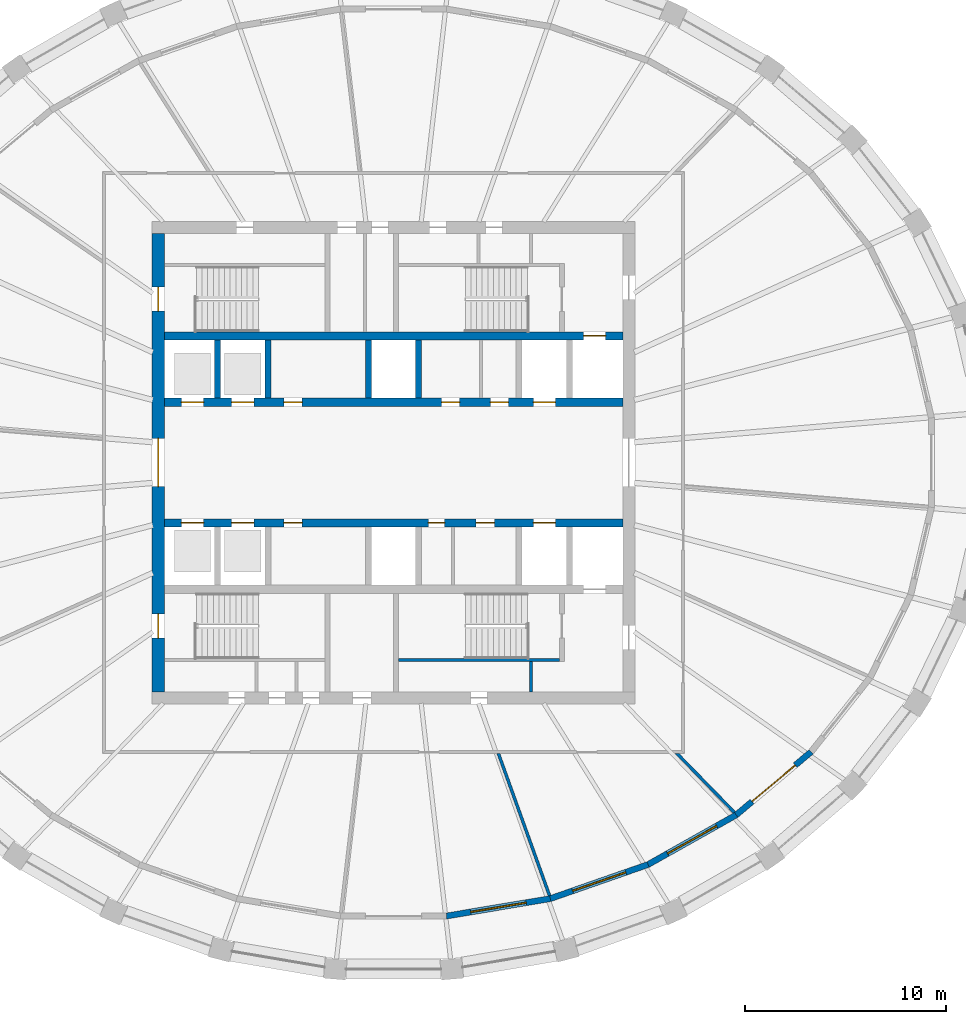
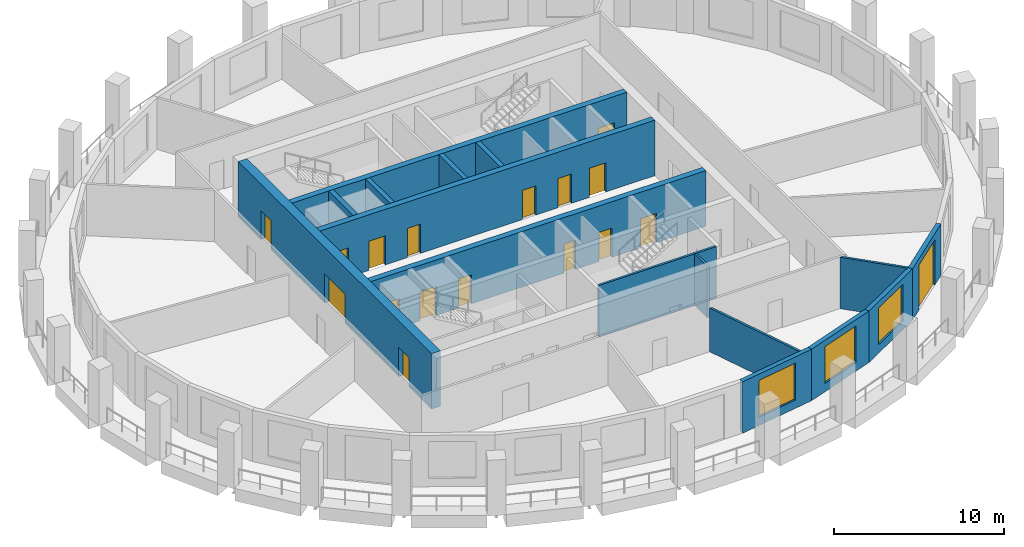
# One storey, part 4 of 10: 17 doors, 16 walls, 3 windows, 20 openings.
"""IFC4 building model written with IfcOpenShell, lengths in metres."""

from ifc_helpers import new_model, si_unit, direction, frame, frame_2d, origin, place, context, subcontext, project, spatial, polyline, rectangle, outline, extrude, material, layer, layer_set, type_object, element, fill, save


model = new_model("IFC4")

# Units and contexts
model_context = context("Model", 3, precision=1e-05, world=origin(), true_north=direction((0.0, 1.0)))
body_context = subcontext(model_context, "Body", "Model", "MODEL_VIEW")
ifc_project = project(units=[si_unit("LENGTHUNIT", "METRE"), si_unit("AREAUNIT", "SQUARE_METRE"), si_unit("VOLUMEUNIT", "CUBIC_METRE"), si_unit("PLANEANGLEUNIT", "RADIAN"), si_unit("MASSUNIT", "GRAM", prefix="KILO")], contexts=[model_context])

# Site, building, storey
site_placement = place(None, origin())
site = spatial("IfcSite", under=ifc_project, at=site_placement, CompositionType="ELEMENT")
building_placement = place(site_placement, origin())
building = spatial("IfcBuilding", under=site, at=building_placement, Name="Halqa Exchange Tower", CompositionType="ELEMENT")
storey_placement = place(building_placement, frame((0.0, 0.0, 280.300048828125)))
storey = spatial("IfcBuildingStorey", under=building, at=storey_placement, Name="L65", CompositionType="ELEMENT", Elevation=280.300048828125)

# Walls
ifc_material_1 = material(Name="Fire-rated gypsum board")
ifc_layer_1 = layer(ifc_material_1, 0.14990234375)
ifc_layer_set_1 = layer_set([ifc_layer_1], Name="Fire-rated gypsum board")
wall_type_1 = type_object("IfcWallType", Name="Fire partition EI 60 150", PredefinedType="PARTITIONING", material=ifc_layer_set_1)
wall_1_placement = place(storey_placement, frame((5.2080078125, -14.449951171875, 0.0), z_axis=(0.0, 0.0, 1.0), x_axis=(0.338585214783, -0.940935732306, 0.0)))
element("IfcWall", 1, at=wall_1_placement, inside=storey, type_object=wall_type_1, Name="L65-PWL-010", PredefinedType="PARTITIONING", context=body_context, shape_type="SweptSolid", body=[
    extrude(outline(polyline([(0.0, -0.074951171875), (1.880126953125, -0.074951171875), (3.76025390625, -0.074951171875), (5.640380859375, -0.074951171875), (7.5205078125, -0.074951171875), (7.533935546875, -0.000732421875), (7.534423828125, 0.054931640625), (7.534423828125, 0.074951171875), (5.664306640625, 0.074951171875), (3.7939453125, 0.074951171875), (1.923828125, 0.074951171875), (0.0537109375, 0.074951171875), (0.0, -0.073974609375), (0.0, -0.074951171875)])), origin(), (0.0, 0.0, 1.0), 3.14990234375),
])
wall_2_placement = place(storey_placement, frame((16.958251953125, -17.40283203125, 0.0), z_axis=(0.0, 0.0, 1.0), x_axis=(-0.698164782934, 0.715937103293, 0.0)))
element("IfcWall", 2, at=wall_2_placement, inside=storey, type_object=wall_type_1, Name="L65-PWL-015", PredefinedType="PARTITIONING", context=body_context, shape_type="SweptSolid", body=[
    extrude(outline(polyline([(0.0, -0.074951171875), (1.3388671875, -0.074951171875), (2.677734375, -0.074951171875), (4.016357421875, -0.074951171875), (4.0693359375, -0.020751953125), (4.0693359375, -0.020751953125), (4.162353515625, 0.07470703125), (4.162353515625, 0.074951171875), (2.783203125, 0.074951171875), (1.404052734375, 0.074951171875), (0.02490234375, 0.074951171875), (0.0048828125, -0.000244140625), (0.0, -0.0673828125), (0.0, -0.074951171875)])), origin(), (0.0, 0.0, 1.0), 3.699951171875),
])
ifc_material_2 = material(Name="Gypsum board")
ifc_layer_2 = layer(ifc_material_2, 0.14990234375)
ifc_layer_set_2 = layer_set([ifc_layer_2], Name="Gypsum board")
wall_type_2 = type_object("IfcWallType", Name="Penthouse riser wall 150 gypsum", PredefinedType="PARTITIONING", material=ifc_layer_set_2)
wall_3_placement = place(storey_placement, frame((6.824951171875, -11.39990234375, 0.0), z_axis=(0.0, 0.0, 1.0), x_axis=(0.0, 1.0, 0.0)))
element("IfcWall", 3, at=wall_3_placement, inside=storey, type_object=wall_type_2, Name="Firefighting lobby west wall S", PredefinedType="PARTITIONING", context=body_context, shape_type="SweptSolid", body=[
    extrude(rectangle(XDim=1.5, YDim=0.14990234375, at=frame_2d((0.75, 0.0))), origin(), (0.0, 0.0, 1.0), 3.699951171875),
])
ifc_material_3 = material(Name="Concrete C60/75", Category="concrete")
ifc_layer_3 = layer(ifc_material_3, 0.300048828125)
ifc_layer_set_3 = layer_set([ifc_layer_3], Name="Concrete C60/75")
wall_type_3 = type_object("IfcWallType", Name="RC core wall 300", PredefinedType="SHEAR", material=ifc_layer_set_3)
for number, where, z_axis, x_axis, name in (
    (4, (-8.75, 3.199951171875, 0.0), (0.0, 0.0, 1.0), (0.0, 1.0, 0.0), "Shaft divider N1"),
    (5, (-6.25, 3.199951171875, 0.0), (0.0, 0.0, 1.0), (0.0, 1.0, 0.0), "Shaft divider N2"),
    (6, (-1.25, 3.199951171875, 0.0), (0.0, 0.0, 1.0), (0.0, 1.0, 0.0), "Shaft divider N4"),
    (7, (1.25, 3.199951171875, 0.0), (0.0, 0.0, 1.0), (0.0, 1.0, 0.0), "Shaft divider N5"),
):
    element("IfcWall", number, at=place(storey_placement, frame(where, z_axis=z_axis, x_axis=x_axis)), inside=storey, type_object=wall_type_3, Name=name, PredefinedType="SHEAR", context=body_context, shape_type="SweptSolid", body=[
        extrude(rectangle(XDim=2.900146484375, YDim=0.300048828125, at=frame_2d((1.4501953125, 0.0))), origin(), (0.0, 0.0, 1.0), 4.0),
    ])

# Wall, openings, doors
ifc_layer_4 = layer(ifc_material_3, 0.39990234375)
ifc_layer_set_4 = layer_set([ifc_layer_4], Name="Concrete C60/75")
wall_type_4 = type_object("IfcWallType", Name="RC core wall 400 C60/75", PredefinedType="SHEAR", material=ifc_layer_set_4)
wall_4_placement = place(storey_placement, frame((-11.39990234375, 3.0, 0.0), z_axis=(0.0, 0.0, 1.0), x_axis=(1.0, 0.0, 0.0)))
wall_4 = element("IfcWall", 8, at=wall_4_placement, inside=storey, type_object=wall_type_4, Name="Lift row front wall N", PredefinedType="SHEAR", context=body_context, shape_type="SweptSolid", body=[
    extrude(rectangle(XDim=22.7998046875, YDim=0.39990234375, at=frame_2d((11.39990234375, 0.0))), origin(), (0.0, 0.0, 1.0), 4.0),
])
opening_1_placement = place(wall_4_placement, frame((0.85009765625, 0.0, 0.0)))
opening_1 = element("IfcOpeningElement", 9, at=opening_1_placement, cuts=wall_4, Name="Opening LD-HR1-T20", PredefinedType="OPENING", context=body_context, shape_type="SweptSolid", body=[
    extrude(rectangle(XDim=1.10009765625, YDim=2.10009765625, at=frame_2d((0.550048828125, 1.050048828125))), frame((0.0, 0.2119140625, 0.0), z_axis=(0.0, -1.0, 0.0), x_axis=(1.0, 0.0, 0.0)), (0.0, 0.0, 1.0), 0.423828125),
])
opening_2_placement = place(wall_4_placement, frame((3.35009765625, 0.0, 0.0)))
opening_2 = element("IfcOpeningElement", 10, at=opening_2_placement, cuts=wall_4, Name="Opening LD-HR2-T20", PredefinedType="OPENING", context=body_context, shape_type="SweptSolid", body=[
    extrude(rectangle(XDim=1.10009765625, YDim=2.10009765625, at=frame_2d((0.550048828125, 1.050048828125))), frame((0.0, 0.2119140625, 0.0), z_axis=(0.0, -1.0, 0.0), x_axis=(1.0, 0.0, 0.0)), (0.0, 0.0, 1.0), 0.423828125),
])
opening_3_placement = place(wall_4_placement, frame((18.35009765625, 0.0, 0.0)))
opening_3 = element("IfcOpeningElement", 11, at=opening_3_placement, cuts=wall_4, Name="Opening LD-SV1-T20", PredefinedType="OPENING", context=body_context, shape_type="SweptSolid", body=[
    extrude(rectangle(XDim=1.10009765625, YDim=2.10009765625, at=frame_2d((0.550048828125, 1.050048828125))), frame((0.0, 0.2119140625, 0.0), z_axis=(0.0, -1.0, 0.0), x_axis=(1.0, 0.0, 0.0)), (0.0, 0.0, 1.0), 0.423828125),
])
opening_4_placement = place(wall_4_placement, frame((13.78759765625, 0.0, 0.0)))
opening_4 = element("IfcOpeningElement", 12, at=opening_4_placement, cuts=wall_4, Name="Opening T20-C27", PredefinedType="OPENING", context=body_context, shape_type="SweptSolid", body=[
    extrude(rectangle(XDim=0.89990234375, YDim=2.10009765625, at=frame_2d((0.449951171875, 1.050048828125))), frame((0.0, 0.2119140625, 0.0), z_axis=(0.0, -1.0, 0.0), x_axis=(1.0, 0.0, 0.0)), (0.0, 0.0, 1.0), 0.423828125),
])
opening_5_placement = place(wall_4_placement, frame((16.21240234375, 0.0, 0.0)))
opening_5 = element("IfcOpeningElement", 13, at=opening_5_placement, cuts=wall_4, Name="Opening T20-C28", PredefinedType="OPENING", context=body_context, shape_type="SweptSolid", body=[
    extrude(rectangle(XDim=0.89990234375, YDim=2.10009765625, at=frame_2d((0.449951171875, 1.050048828125))), frame((0.0, 0.2119140625, 0.0), z_axis=(0.0, -1.0, 0.0), x_axis=(1.0, 0.0, 0.0)), (0.0, 0.0, 1.0), 0.423828125),
])
opening_6_placement = place(wall_4_placement, frame((5.949951171875, 0.0, 0.0)))
opening_6 = element("IfcOpeningElement", 14, at=opening_6_placement, cuts=wall_4, Name="Opening T20-C29", PredefinedType="OPENING", context=body_context, shape_type="SweptSolid", body=[
    extrude(rectangle(XDim=0.89990234375, YDim=2.10009765625, at=frame_2d((0.449951171875, 1.050048828125))), frame((0.0, 0.2119140625, 0.0), z_axis=(0.0, -1.0, 0.0), x_axis=(1.0, 0.0, 0.0)), (0.0, 0.0, 1.0), 0.423828125),
])
ifc_material_4 = material(Name="Timber fire door leaf", Category="wood")
door_type_1 = type_object("IfcDoorType", Name="Core room door FD30 900 x 2100", OperationType="SINGLE_SWING_LEFT", PredefinedType="DOOR", material=ifc_material_4)
door_1_placement = place(opening_4_placement, origin())
door_1 = element("IfcDoor", 15, at=door_1_placement, inside=storey, type_object=door_type_1, Name="Core room door", OperationType="SINGLE_SWING_RIGHT", OverallHeight=2.10009765625, OverallWidth=0.89990234375, PredefinedType="DOOR", context=body_context, shape_type="SweptSolid", body=[
    extrude(rectangle(XDim=0.89990234375, YDim=2.10009765625, at=frame_2d((0.449951171875, 1.050048828125))), frame((0.0, 0.02490234375, 0.0), z_axis=(0.0, -1.0, 0.0), x_axis=(1.0, 0.0, 0.0)), (0.0, 0.0, 1.0), 0.050048828125),
])
fill(opening_4, door_1)
door_2_placement = place(opening_5_placement, origin())
door_2 = element("IfcDoor", 16, at=door_2_placement, inside=storey, type_object=door_type_1, Name="Core room door", OperationType="SINGLE_SWING_LEFT", OverallHeight=2.10009765625, OverallWidth=0.89990234375, PredefinedType="DOOR", context=body_context, shape_type="SweptSolid", body=[
    extrude(rectangle(XDim=0.89990234375, YDim=2.10009765625, at=frame_2d((0.449951171875, 1.050048828125))), frame((0.0, 0.02490234375, 0.0), z_axis=(0.0, -1.0, 0.0), x_axis=(1.0, 0.0, 0.0)), (0.0, 0.0, 1.0), 0.050048828125),
])
fill(opening_5, door_2)
door_3_placement = place(opening_6_placement, origin())
door_3 = element("IfcDoor", 17, at=door_3_placement, inside=storey, type_object=door_type_1, Name="Core room door", OperationType="SINGLE_SWING_RIGHT", OverallHeight=2.10009765625, OverallWidth=0.89990234375, PredefinedType="DOOR", context=body_context, shape_type="SweptSolid", body=[
    extrude(rectangle(XDim=0.89990234375, YDim=2.10009765625, at=frame_2d((0.449951171875, 1.050048828125))), frame((0.0, 0.02490234375, 0.0), z_axis=(0.0, -1.0, 0.0), x_axis=(1.0, 0.0, 0.0)), (0.0, 0.0, 1.0), 0.050048828125),
])
fill(opening_6, door_3)
ifc_material_5 = material(Name="Stainless steel", Category="steel")
door_type_2 = type_object("IfcDoorType", Name="Lift landing door 1100 x 2100", OperationType="SLIDING_TO_LEFT", PredefinedType="DOOR", material=ifc_material_5)
door_4_placement = place(opening_1_placement, origin())
door_4 = element("IfcDoor", 18, at=door_4_placement, inside=storey, type_object=door_type_2, Name="Lift landing door HR1", OperationType="SLIDING_TO_LEFT", OverallHeight=2.10009765625, OverallWidth=1.10009765625, PredefinedType="DOOR", context=body_context, shape_type="SweptSolid", body=[
    extrude(rectangle(XDim=1.10009765625, YDim=2.10009765625, at=frame_2d((0.550048828125, 1.050048828125))), frame((0.0, 0.02490234375, 0.0), z_axis=(0.0, -1.0, 0.0), x_axis=(1.0, 0.0, 0.0)), (0.0, 0.0, 1.0), 0.050048828125),
])
fill(opening_1, door_4)
door_5_placement = place(opening_2_placement, origin())
door_5 = element("IfcDoor", 19, at=door_5_placement, inside=storey, type_object=door_type_2, Name="Lift landing door HR2", OperationType="SLIDING_TO_LEFT", OverallHeight=2.10009765625, OverallWidth=1.10009765625, PredefinedType="DOOR", context=body_context, shape_type="SweptSolid", body=[
    extrude(rectangle(XDim=1.10009765625, YDim=2.10009765625, at=frame_2d((0.550048828125, 1.050048828125))), frame((0.0, 0.02490234375, 0.0), z_axis=(0.0, -1.0, 0.0), x_axis=(1.0, 0.0, 0.0)), (0.0, 0.0, 1.0), 0.050048828125),
])
fill(opening_2, door_5)
door_6_placement = place(opening_3_placement, origin())
door_6 = element("IfcDoor", 20, at=door_6_placement, inside=storey, type_object=door_type_2, Name="Lift landing door SV1", OperationType="SLIDING_TO_LEFT", OverallHeight=2.10009765625, OverallWidth=1.10009765625, PredefinedType="DOOR", context=body_context, shape_type="SweptSolid", body=[
    extrude(rectangle(XDim=1.10009765625, YDim=2.10009765625, at=frame_2d((0.550048828125, 1.050048828125))), frame((0.0, 0.02490234375, 0.0), z_axis=(0.0, -1.0, 0.0), x_axis=(1.0, 0.0, 0.0)), (0.0, 0.0, 1.0), 0.050048828125),
])
fill(opening_3, door_6)

# Wall, opening, door
wall_5_placement = place(storey_placement, frame((-11.39990234375, 6.300048828125, 0.0), z_axis=(0.0, 0.0, 1.0), x_axis=(1.0, 0.0, 0.0)))
wall_5 = element("IfcWall", 21, at=wall_5_placement, inside=storey, type_object=wall_type_4, Name="Lift row back wall N", PredefinedType="SHEAR", context=body_context, shape_type="SweptSolid", body=[
    extrude(rectangle(XDim=22.7998046875, YDim=0.39990234375, at=frame_2d((11.39990234375, 0.0))), origin(), (0.0, 0.0, 1.0), 4.0),
])
opening_7_placement = place(wall_5_placement, frame((20.85009765625, 0.0, 0.0)))
opening_7 = element("IfcOpeningElement", 22, at=opening_7_placement, cuts=wall_5, Name="Opening LD-FF1-T20", PredefinedType="OPENING", context=body_context, shape_type="SweptSolid", body=[
    extrude(rectangle(XDim=1.10009765625, YDim=2.10009765625, at=frame_2d((0.550048828125, 1.050048828125))), frame((0.0, 0.2119140625, 0.0), z_axis=(0.0, -1.0, 0.0), x_axis=(1.0, 0.0, 0.0)), (0.0, 0.0, 1.0), 0.423828125),
])
door_7_placement = place(opening_7_placement, origin())
door_7 = element("IfcDoor", 23, at=door_7_placement, inside=storey, type_object=door_type_2, Name="Lift landing door FF1", OperationType="SLIDING_TO_LEFT", OverallHeight=2.10009765625, OverallWidth=1.10009765625, PredefinedType="DOOR", context=body_context, shape_type="SweptSolid", body=[
    extrude(rectangle(XDim=1.10009765625, YDim=2.10009765625, at=frame_2d((0.550048828125, 1.050048828125))), frame((0.0, 0.02490234375, 0.0), z_axis=(0.0, -1.0, 0.0), x_axis=(1.0, 0.0, 0.0)), (0.0, 0.0, 1.0), 0.050048828125),
])
fill(opening_7, door_7)

# Wall, openings, doors
wall_6_placement = place(storey_placement, frame((-11.39990234375, -3.0, 0.0), z_axis=(0.0, 0.0, 1.0), x_axis=(1.0, 0.0, 0.0)))
wall_6 = element("IfcWall", 24, at=wall_6_placement, inside=storey, type_object=wall_type_4, Name="Lift row front wall S", PredefinedType="SHEAR", context=body_context, shape_type="SweptSolid", body=[
    extrude(rectangle(XDim=22.7998046875, YDim=0.39990234375, at=frame_2d((11.39990234375, 0.0))), origin(), (0.0, 0.0, 1.0), 4.0),
])
opening_8_placement = place(wall_6_placement, frame((0.85009765625, 0.0, 0.0)))
opening_8 = element("IfcOpeningElement", 25, at=opening_8_placement, cuts=wall_6, Name="Opening LD-HR3-T20", PredefinedType="OPENING", context=body_context, shape_type="SweptSolid", body=[
    extrude(rectangle(XDim=1.10009765625, YDim=2.10009765625, at=frame_2d((0.550048828125, 1.050048828125))), frame((0.0, 0.2119140625, 0.0), z_axis=(0.0, -1.0, 0.0), x_axis=(1.0, 0.0, 0.0)), (0.0, 0.0, 1.0), 0.423828125),
])
opening_9_placement = place(wall_6_placement, frame((3.35009765625, 0.0, 0.0)))
opening_9 = element("IfcOpeningElement", 26, at=opening_9_placement, cuts=wall_6, Name="Opening LD-HR4-T20", PredefinedType="OPENING", context=body_context, shape_type="SweptSolid", body=[
    extrude(rectangle(XDim=1.10009765625, YDim=2.10009765625, at=frame_2d((0.550048828125, 1.050048828125))), frame((0.0, 0.2119140625, 0.0), z_axis=(0.0, -1.0, 0.0), x_axis=(1.0, 0.0, 0.0)), (0.0, 0.0, 1.0), 0.423828125),
])
opening_10_placement = place(wall_6_placement, frame((18.35009765625, 0.0, 0.0)))
opening_10 = element("IfcOpeningElement", 27, at=opening_10_placement, cuts=wall_6, Name="Opening LD-SV2-T20", PredefinedType="OPENING", context=body_context, shape_type="SweptSolid", body=[
    extrude(rectangle(XDim=1.10009765625, YDim=2.10009765625, at=frame_2d((0.550048828125, 1.050048828125))), frame((0.0, 0.2119140625, 0.0), z_axis=(0.0, -1.0, 0.0), x_axis=(1.0, 0.0, 0.0)), (0.0, 0.0, 1.0), 0.423828125),
])
opening_11_placement = place(wall_6_placement, frame((13.137451171875, 0.0, 0.0)))
opening_11 = element("IfcOpeningElement", 28, at=opening_11_placement, cuts=wall_6, Name="Opening T20-C30", PredefinedType="OPENING", context=body_context, shape_type="SweptSolid", body=[
    extrude(rectangle(XDim=0.800048828125, YDim=2.10009765625, at=frame_2d((0.39990234375, 1.050048828125))), frame((0.0, 0.2119140625, 0.0), z_axis=(0.0, -1.0, 0.0), x_axis=(1.0, 0.0, 0.0)), (0.0, 0.0, 1.0), 0.423828125),
])
opening_12_placement = place(wall_6_placement, frame((15.512451171875, 0.0, 0.0)))
opening_12 = element("IfcOpeningElement", 29, at=opening_12_placement, cuts=wall_6, Name="Opening T20-C31", PredefinedType="OPENING", context=body_context, shape_type="SweptSolid", body=[
    extrude(rectangle(XDim=0.89990234375, YDim=2.10009765625, at=frame_2d((0.449951171875, 1.050048828125))), frame((0.0, 0.2119140625, 0.0), z_axis=(0.0, -1.0, 0.0), x_axis=(1.0, 0.0, 0.0)), (0.0, 0.0, 1.0), 0.423828125),
])
opening_13_placement = place(wall_6_placement, frame((5.949951171875, 0.0, 0.0)))
opening_13 = element("IfcOpeningElement", 30, at=opening_13_placement, cuts=wall_6, Name="Opening T20-C32", PredefinedType="OPENING", context=body_context, shape_type="SweptSolid", body=[
    extrude(rectangle(XDim=0.89990234375, YDim=2.10009765625, at=frame_2d((0.449951171875, 1.050048828125))), frame((0.0, 0.2119140625, 0.0), z_axis=(0.0, -1.0, 0.0), x_axis=(1.0, 0.0, 0.0)), (0.0, 0.0, 1.0), 0.423828125),
])
door_8_placement = place(opening_12_placement, frame((0.89990234375, 0.0, 0.0), z_axis=(0.0, 0.0, 1.0), x_axis=(-1.0, 0.0, 0.0)))
door_8 = element("IfcDoor", 31, at=door_8_placement, inside=storey, type_object=door_type_1, Name="Core room door", OperationType="SINGLE_SWING_LEFT", OverallHeight=2.10009765625, OverallWidth=0.89990234375, PredefinedType="DOOR", context=body_context, shape_type="SweptSolid", body=[
    extrude(rectangle(XDim=0.89990234375, YDim=2.10009765625, at=frame_2d((0.449951171875, 1.050048828125))), frame((0.0, 0.02490234375, 0.0), z_axis=(0.0, -1.0, 0.0), x_axis=(1.0, 0.0, 0.0)), (0.0, 0.0, 1.0), 0.050048828125),
])
fill(opening_12, door_8)
door_9_placement = place(opening_13_placement, frame((0.89990234375, 0.0, 0.0), z_axis=(0.0, 0.0, 1.0), x_axis=(-1.0, 0.0, 0.0)))
door_9 = element("IfcDoor", 32, at=door_9_placement, inside=storey, type_object=door_type_1, Name="Core room door", OperationType="SINGLE_SWING_LEFT", OverallHeight=2.10009765625, OverallWidth=0.89990234375, PredefinedType="DOOR", context=body_context, shape_type="SweptSolid", body=[
    extrude(rectangle(XDim=0.89990234375, YDim=2.10009765625, at=frame_2d((0.449951171875, 1.050048828125))), frame((0.0, 0.02490234375, 0.0), z_axis=(0.0, -1.0, 0.0), x_axis=(1.0, 0.0, 0.0)), (0.0, 0.0, 1.0), 0.050048828125),
])
fill(opening_13, door_9)
door_10_placement = place(opening_8_placement, origin())
door_10 = element("IfcDoor", 33, at=door_10_placement, inside=storey, type_object=door_type_2, Name="Lift landing door HR3", OperationType="SLIDING_TO_LEFT", OverallHeight=2.10009765625, OverallWidth=1.10009765625, PredefinedType="DOOR", context=body_context, shape_type="SweptSolid", body=[
    extrude(rectangle(XDim=1.10009765625, YDim=2.10009765625, at=frame_2d((0.550048828125, 1.050048828125))), frame((0.0, 0.02490234375, 0.0), z_axis=(0.0, -1.0, 0.0), x_axis=(1.0, 0.0, 0.0)), (0.0, 0.0, 1.0), 0.050048828125),
])
fill(opening_8, door_10)
door_11_placement = place(opening_9_placement, origin())
door_11 = element("IfcDoor", 34, at=door_11_placement, inside=storey, type_object=door_type_2, Name="Lift landing door HR4", OperationType="SLIDING_TO_LEFT", OverallHeight=2.10009765625, OverallWidth=1.10009765625, PredefinedType="DOOR", context=body_context, shape_type="SweptSolid", body=[
    extrude(rectangle(XDim=1.10009765625, YDim=2.10009765625, at=frame_2d((0.550048828125, 1.050048828125))), frame((0.0, 0.02490234375, 0.0), z_axis=(0.0, -1.0, 0.0), x_axis=(1.0, 0.0, 0.0)), (0.0, 0.0, 1.0), 0.050048828125),
])
fill(opening_9, door_11)
door_12_placement = place(opening_10_placement, origin())
door_12 = element("IfcDoor", 35, at=door_12_placement, inside=storey, type_object=door_type_2, Name="Lift landing door SV2", OperationType="SLIDING_TO_LEFT", OverallHeight=2.10009765625, OverallWidth=1.10009765625, PredefinedType="DOOR", context=body_context, shape_type="SweptSolid", body=[
    extrude(rectangle(XDim=1.10009765625, YDim=2.10009765625, at=frame_2d((0.550048828125, 1.050048828125))), frame((0.0, 0.02490234375, 0.0), z_axis=(0.0, -1.0, 0.0), x_axis=(1.0, 0.0, 0.0)), (0.0, 0.0, 1.0), 0.050048828125),
])
fill(opening_10, door_12)
ifc_material_6 = material(Name="Steel fire door leaf", Category="steel")
door_type_3 = type_object("IfcDoorType", Name="Riser door FD60 800 x 2100", OperationType="SINGLE_SWING_LEFT", PredefinedType="DOOR", material=ifc_material_6)
door_13_placement = place(opening_11_placement, frame((0.800048828125, 0.0, 0.0), z_axis=(0.0, 0.0, 1.0), x_axis=(-1.0, 0.0, 0.0)))
door_13 = element("IfcDoor", 36, at=door_13_placement, inside=storey, type_object=door_type_3, Name="Core room door", OperationType="SINGLE_SWING_LEFT", OverallHeight=2.10009765625, OverallWidth=0.800048828125, PredefinedType="DOOR", context=body_context, shape_type="SweptSolid", body=[
    extrude(rectangle(XDim=0.800048828125, YDim=2.10009765625, at=frame_2d((0.39990234375, 1.050048828125))), frame((0.0, 0.02490234375, 0.0), z_axis=(0.0, -1.0, 0.0), x_axis=(1.0, 0.0, 0.0)), (0.0, 0.0, 1.0), 0.050048828125),
])
fill(opening_11, door_13)

ifc_layer_5 = layer(ifc_material_3, 0.60009765625)
ifc_layer_set_5 = layer_set([ifc_layer_5], Name="Concrete C60/75")
wall_type_5 = type_object("IfcWallType", Name="RC core wall 600 C60/75", PredefinedType="SHEAR", material=ifc_layer_set_5)
wall_7_placement = place(storey_placement, frame((-11.699951171875, -11.39990234375, 0.0), z_axis=(0.0, 0.0, 1.0), x_axis=(0.0, 1.0, 0.0)))
wall_7 = element("IfcWall", 37, at=wall_7_placement, inside=storey, type_object=wall_type_5, Name="Core wall west", PredefinedType="SHEAR", context=body_context, shape_type="SweptSolid", body=[
    extrude(rectangle(XDim=22.7998046875, YDim=0.60009765625, at=frame_2d((11.39990234375, 0.0))), origin(), (0.0, 0.0, 1.0), 4.0),
])
opening_14_placement = place(wall_7_placement, frame((10.199951171875, 0.0, 0.0)))
opening_14 = element("IfcOpeningElement", 38, at=opening_14_placement, cuts=wall_7, Name="Opening T20-C09", PredefinedType="OPENING", context=body_context, shape_type="SweptSolid", body=[
    extrude(rectangle(XDim=2.39990234375, YDim=2.10009765625, at=frame_2d((1.199951171875, 1.050048828125))), frame((0.0, 0.31201171875, 0.0), z_axis=(0.0, -1.0, 0.0), x_axis=(1.0, 0.0, 0.0)), (0.0, 0.0, 1.0), 0.6240234375),
])
opening_15_placement = place(wall_7_placement, frame((18.925048828125, 0.0, 0.0)))
opening_15 = element("IfcOpeningElement", 39, at=opening_15_placement, cuts=wall_7, Name="Opening T20-C11", PredefinedType="OPENING", context=body_context, shape_type="SweptSolid", body=[
    extrude(rectangle(XDim=1.199951171875, YDim=2.10009765625, at=frame_2d((0.60009765625, 1.050048828125))), frame((0.0, 0.31201171875, 0.0), z_axis=(0.0, -1.0, 0.0), x_axis=(1.0, 0.0, 0.0)), (0.0, 0.0, 1.0), 0.6240234375),
])
opening_16_placement = place(wall_7_placement, frame((2.675048828125, 0.0, 0.0)))
opening_16 = element("IfcOpeningElement", 40, at=opening_16_placement, cuts=wall_7, Name="Opening T20-C13", PredefinedType="OPENING", context=body_context, shape_type="SweptSolid", body=[
    extrude(rectangle(XDim=1.199951171875, YDim=2.10009765625, at=frame_2d((0.60009765625, 1.050048828125))), frame((0.0, 0.31201171875, 0.0), z_axis=(0.0, -1.0, 0.0), x_axis=(1.0, 0.0, 0.0)), (0.0, 0.0, 1.0), 0.6240234375),
])
door_type_4 = type_object("IfcDoorType", Name="Lobby double door FD60 2400 x 2100", OperationType="DOUBLE_DOOR_SINGLE_SWING", PredefinedType="DOOR", material=ifc_material_6)
door_14_placement = place(opening_14_placement, frame((2.39990234375, 0.0, 0.0), z_axis=(0.0, 0.0, 1.0), x_axis=(-1.0, 0.0, 0.0)))
door_14 = element("IfcDoor", 41, at=door_14_placement, inside=storey, type_object=door_type_4, Name="Lift lobby double door", OperationType="DOUBLE_DOOR_SINGLE_SWING", OverallHeight=2.10009765625, OverallWidth=2.39990234375, PredefinedType="DOOR", context=body_context, shape_type="SweptSolid", body=[
    extrude(rectangle(XDim=2.39990234375, YDim=2.10009765625, at=frame_2d((1.199951171875, 1.050048828125))), frame((0.0, 0.02490234375, 0.0), z_axis=(0.0, -1.0, 0.0), x_axis=(1.0, 0.0, 0.0)), (0.0, 0.0, 1.0), 0.050048828125),
])
fill(opening_14, door_14)
door_type_5 = type_object("IfcDoorType", Name="Stair door FD90 1200 x 2100", OperationType="SINGLE_SWING_LEFT", PredefinedType="DOOR", material=ifc_material_6)
door_15_placement = place(opening_15_placement, frame((1.199951171875, 0.0, 0.0), z_axis=(0.0, 0.0, 1.0), x_axis=(-1.0, 0.0, 0.0)))
door_15 = element("IfcDoor", 42, at=door_15_placement, inside=storey, type_object=door_type_5, Name="Stair door ST1", OperationType="SINGLE_SWING_LEFT", OverallHeight=2.10009765625, OverallWidth=1.199951171875, PredefinedType="DOOR", context=body_context, shape_type="SweptSolid", body=[
    extrude(rectangle(XDim=1.199951171875, YDim=2.10009765625, at=frame_2d((0.60009765625, 1.050048828125))), frame((0.0, 0.02490234375, 0.0), z_axis=(0.0, -1.0, 0.0), x_axis=(1.0, 0.0, 0.0)), (0.0, 0.0, 1.0), 0.050048828125),
])
fill(opening_15, door_15)
door_16_placement = place(opening_16_placement, frame((1.199951171875, 0.0, 0.0), z_axis=(0.0, 0.0, 1.0), x_axis=(-1.0, 0.0, 0.0)))
door_16 = element("IfcDoor", 43, at=door_16_placement, inside=storey, type_object=door_type_5, Name="Stair door ST3", OperationType="SINGLE_SWING_LEFT", OverallHeight=2.10009765625, OverallWidth=1.199951171875, PredefinedType="DOOR", context=body_context, shape_type="SweptSolid", body=[
    extrude(rectangle(XDim=1.199951171875, YDim=2.10009765625, at=frame_2d((0.60009765625, 1.050048828125))), frame((0.0, 0.02490234375, 0.0), z_axis=(0.0, -1.0, 0.0), x_axis=(1.0, 0.0, 0.0)), (0.0, 0.0, 1.0), 0.050048828125),
])
fill(opening_16, door_16)

# Wall
ifc_material_7 = material(Name="Concrete C30/37", Category="concrete")
ifc_layer_6 = layer(ifc_material_7, 0.14990234375)
ifc_layer_set_6 = layer_set([ifc_layer_6], Name="Concrete C30/37")
wall_type_6 = type_object("IfcWallType", Name="RC stair wall 150 C30/37", PredefinedType="SHEAR", material=ifc_layer_set_6)
wall_8_placement = place(storey_placement, frame((0.25, -9.824951171875, 0.0), z_axis=(0.0, 0.0, 1.0), x_axis=(1.0, 0.0, 0.0)))
element("IfcWall", 44, at=wall_8_placement, inside=storey, type_object=wall_type_6, Name="Stair ST2 north wall S", PredefinedType="SHEAR", context=body_context, shape_type="SweptSolid", body=[
    extrude(rectangle(XDim=8.0, YDim=0.14990234375, at=frame_2d((4.0, 0.0))), origin(), (0.0, 0.0, 1.0), 3.699951171875),
])

# Wall, opening, window
ifc_material_8 = material(Name="Limestone cladding", Category="masonry")
ifc_layer_7 = layer(ifc_material_8, 0.0400390625)
ifc_material_9 = material(Name="Ventilated cavity")
ifc_layer_8 = layer(ifc_material_9, 0.030029296875, ventilated=True)
ifc_material_10 = material(Name="Mineral wool insulation")
ifc_layer_9 = layer(ifc_material_10, 0.10009765625)
ifc_layer_10 = layer(ifc_material_7, 0.10009765625)
ifc_material_11 = material(Name="Internal plaster")
ifc_layer_11 = layer(ifc_material_11, 0.030029296875)
ifc_layer_set_7 = layer_set([ifc_layer_7, ifc_layer_8, ifc_layer_9, ifc_layer_10, ifc_layer_11], Name="Stone-faced insulated wall 300")
wall_type_7 = type_object("IfcWallType", Name="Stone-faced insulated wall 300", PredefinedType="STANDARD", material=ifc_layer_set_7)
wall_9_placement = place(storey_placement, frame((2.632080078125, -22.5498046875, 0.0), z_axis=(0.0, 0.0, 1.0), x_axis=(0.986257472007, 0.165215613396, 0.0)))
wall_9 = element("IfcWall", 45, at=wall_9_placement, inside=storey, type_object=wall_type_7, Name="Glass-line wall 25", PredefinedType="STANDARD", context=body_context, shape_type="SweptSolid", body=[
    extrude(outline(polyline([(-0.012451171875, -0.14990234375), (5.248291015625, -0.14990234375), (5.222900390625, 0.14990234375), (0.012451171875, 0.14990234375), (-0.012451171875, -0.14990234375)])), origin(), (0.0, 0.0, 1.0), 3.699951171875),
])
opening_17_placement = place(wall_9_placement, frame((1.2177734375, 0.0, 0.60009765625)))
opening_17 = element("IfcOpeningElement", 46, at=opening_17_placement, cuts=wall_9, Name="Opening W-F4-25", PredefinedType="OPENING", context=body_context, shape_type="SweptSolid", body=[
    extrude(rectangle(XDim=2.800048828125, YDim=2.64990234375, at=frame_2d((1.39990234375, 1.324951171875))), frame((0.0, 0.162109375, 0.0), z_axis=(0.0, -1.0, 0.0), x_axis=(1.0, 0.0, 0.0)), (0.0, 0.0, 1.0), 0.323974609375),
])
ifc_material_12 = material(Name="Clear low-emissivity glass in aluminium frame", Category="aluminium")
window_type = type_object("IfcWindowType", Name="Fixed clear glazed window 2800 x 2650", PartitioningType="DOUBLE_PANEL_VERTICAL", PredefinedType="WINDOW", material=ifc_material_12)
window_1_placement = place(opening_17_placement, origin())
window_1 = element("IfcWindow", 47, at=window_1_placement, inside=storey, type_object=window_type, Name="Window 4", OverallHeight=2.64990234375, OverallWidth=2.800048828125, PartitioningType="DOUBLE_PANEL_VERTICAL", PredefinedType="WINDOW", context=body_context, shape_type="SweptSolid", body=[
    extrude(rectangle(XDim=2.800048828125, YDim=2.64990234375, at=frame_2d((1.39990234375, 1.324951171875))), frame((0.0, 0.030029296875, 0.0), z_axis=(0.0, -1.0, 0.0), x_axis=(1.0, 0.0, 0.0)), (0.0, 0.0, 1.0), 0.06005859375),
])
fill(opening_17, window_1)

wall_10_placement = place(storey_placement, frame((7.795654296875, -21.684814453125, 0.0), z_axis=(0.0, 0.0, 1.0), x_axis=(0.944204293701, 0.329360367617, 0.0)))
wall_10 = element("IfcWall", 48, at=wall_10_placement, inside=storey, type_object=wall_type_7, Name="Glass-line wall 26", PredefinedType="STANDARD", context=body_context, shape_type="SweptSolid", body=[
    extrude(outline(polyline([(-0.0126953125, -0.14990234375), (5.165771484375, -0.14990234375), (5.139404296875, 0.14990234375), (0.0126953125, 0.14990234375), (-0.0126953125, -0.14990234375)])), origin(), (0.0, 0.0, 1.0), 3.699951171875),
])
opening_18_placement = place(wall_10_placement, frame((1.17626953125, 0.0, 0.60009765625)))
opening_18 = element("IfcOpeningElement", 49, at=opening_18_placement, cuts=wall_10, Name="Opening W-F4-26", PredefinedType="OPENING", context=body_context, shape_type="SweptSolid", body=[
    extrude(rectangle(XDim=2.800048828125, YDim=2.64990234375, at=frame_2d((1.39990234375, 1.324951171875))), frame((0.0, 0.162109375, 0.0), z_axis=(0.0, -1.0, 0.0), x_axis=(1.0, 0.0, 0.0)), (0.0, 0.0, 1.0), 0.323974609375),
])
window_2_placement = place(opening_18_placement, origin())
window_2 = element("IfcWindow", 50, at=window_2_placement, inside=storey, type_object=window_type, Name="Window 4", OverallHeight=2.64990234375, OverallWidth=2.800048828125, PartitioningType="DOUBLE_PANEL_VERTICAL", PredefinedType="WINDOW", context=body_context, shape_type="SweptSolid", body=[
    extrude(rectangle(XDim=2.800048828125, YDim=2.64990234375, at=frame_2d((1.39990234375, 1.324951171875))), frame((0.0, 0.030029296875, 0.0), z_axis=(0.0, -1.0, 0.0), x_axis=(1.0, 0.0, 0.0)), (0.0, 0.0, 1.0), 0.06005859375),
])
fill(opening_18, window_2)

wall_11_placement = place(storey_placement, frame((12.66064453125, -19.98779296875, 0.0), z_axis=(0.0, 0.0, 1.0), x_axis=(0.871488606878, 0.490415750239, 0.0)))
wall_11 = element("IfcWall", 51, at=wall_11_placement, inside=storey, type_object=wall_type_7, Name="Glass-line wall 27", PredefinedType="STANDARD", context=body_context, shape_type="SweptSolid", body=[
    extrude(outline(polyline([(-0.01318359375, -0.14990234375), (5.040283203125, -0.14990234375), (5.011962890625, 0.14990234375), (0.01318359375, 0.14990234375), (-0.01318359375, -0.14990234375)])), origin(), (0.0, 0.0, 1.0), 3.699951171875),
])
opening_19_placement = place(wall_11_placement, frame((1.113037109375, 0.0, 0.60009765625)))
opening_19 = element("IfcOpeningElement", 52, at=opening_19_placement, cuts=wall_11, Name="Opening W-F4-27", PredefinedType="OPENING", context=body_context, shape_type="SweptSolid", body=[
    extrude(rectangle(XDim=2.800048828125, YDim=2.64990234375, at=frame_2d((1.39990234375, 1.324951171875))), frame((0.0, 0.162109375, 0.0), z_axis=(0.0, -1.0, 0.0), x_axis=(1.0, 0.0, 0.0)), (0.0, 0.0, 1.0), 0.323974609375),
])
window_3_placement = place(opening_19_placement, origin())
window_3 = element("IfcWindow", 53, at=window_3_placement, inside=storey, type_object=window_type, Name="Window 4", OverallHeight=2.64990234375, OverallWidth=2.800048828125, PartitioningType="DOUBLE_PANEL_VERTICAL", PredefinedType="WINDOW", context=body_context, shape_type="SweptSolid", body=[
    extrude(rectangle(XDim=2.800048828125, YDim=2.64990234375, at=frame_2d((1.39990234375, 1.324951171875))), frame((0.0, 0.030029296875, 0.0), z_axis=(0.0, -1.0, 0.0), x_axis=(1.0, 0.0, 0.0)), (0.0, 0.0, 1.0), 0.06005859375),
])
fill(opening_19, window_3)

# Wall, opening, door
wall_12_placement = place(storey_placement, frame((17.040771484375, -17.52294921875, 0.0), z_axis=(0.0, 0.0, 1.0), x_axis=(0.764876116592, 0.644177402792, 0.0)))
wall_12 = element("IfcWall", 54, at=wall_12_placement, inside=storey, type_object=wall_type_7, Name="Glass-line wall 28", PredefinedType="STANDARD", context=body_context, shape_type="SweptSolid", body=[
    extrude(outline(polyline([(-0.01416015625, -0.14990234375), (4.887939453125, -0.14990234375), (4.857666015625, 0.14990234375), (0.01416015625, 0.14990234375), (-0.01416015625, -0.14990234375)])), origin(), (0.0, 0.0, 1.0), 3.699951171875),
])
opening_20_placement = place(wall_12_placement, frame((1.036376953125, 0.0, 0.0)))
opening_20 = element("IfcOpeningElement", 55, at=opening_20_placement, cuts=wall_12, Name="Opening LG-F4-07", PredefinedType="OPENING", context=body_context, shape_type="SweptSolid", body=[
    extrude(rectangle(XDim=2.800048828125, YDim=3.25, at=frame_2d((1.39990234375, 1.625))), frame((0.0, 0.162109375, 0.0), z_axis=(0.0, -1.0, 0.0), x_axis=(1.0, 0.0, 0.0)), (0.0, 0.0, 1.0), 0.323974609375),
])
door_type_6 = type_object("IfcDoorType", Name="Glazed sliding loggia door 2800 x 3250", OperationType="DOUBLE_DOOR_SLIDING", PredefinedType="DOOR", material=ifc_material_12)
door_17_placement = place(opening_20_placement, origin())
door_17 = element("IfcDoor", 56, at=door_17_placement, inside=storey, type_object=door_type_6, Name="Loggia door 7", OperationType="DOUBLE_DOOR_SLIDING", OverallHeight=3.25, OverallWidth=2.800048828125, PredefinedType="DOOR", context=body_context, shape_type="SweptSolid", body=[
    extrude(rectangle(XDim=2.800048828125, YDim=3.25, at=frame_2d((1.39990234375, 1.625))), frame((0.0, 0.02490234375, 0.0), z_axis=(0.0, -1.0, 0.0), x_axis=(1.0, 0.0, 0.0)), (0.0, 0.0, 1.0), 0.050048828125),
])
fill(opening_20, door_17)

save(model, "model.ifc")
